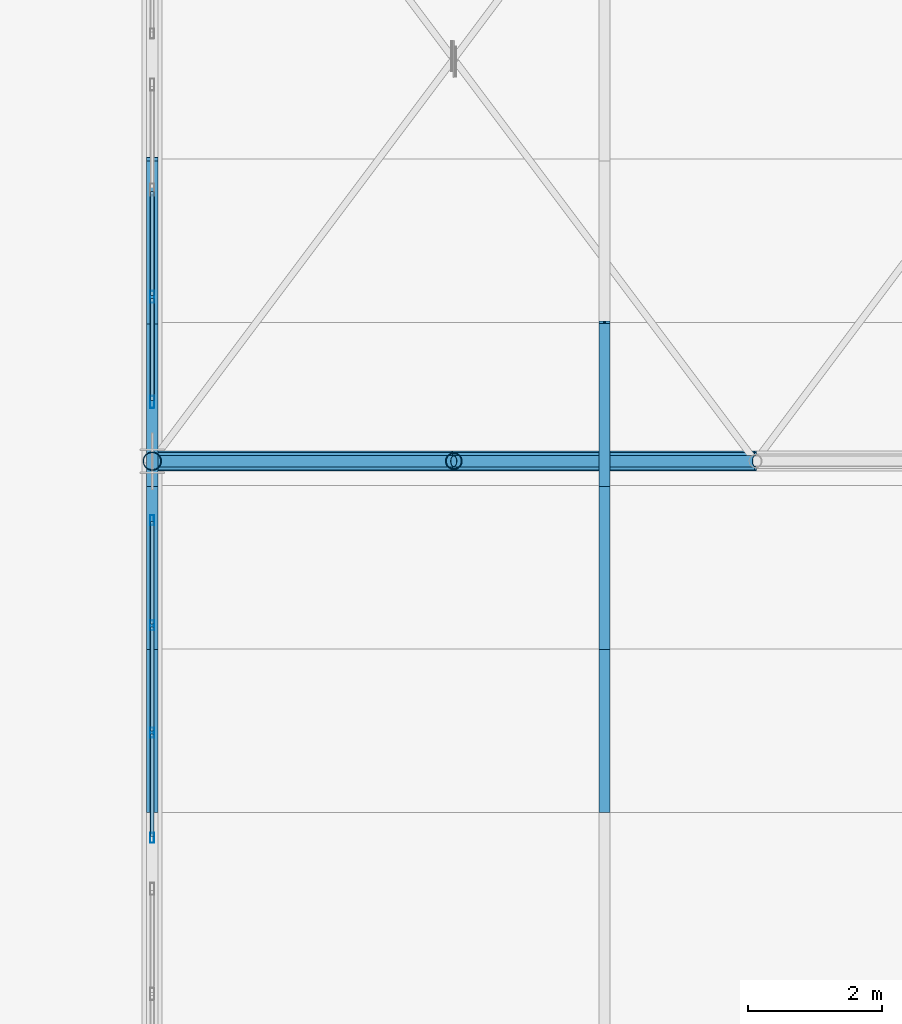
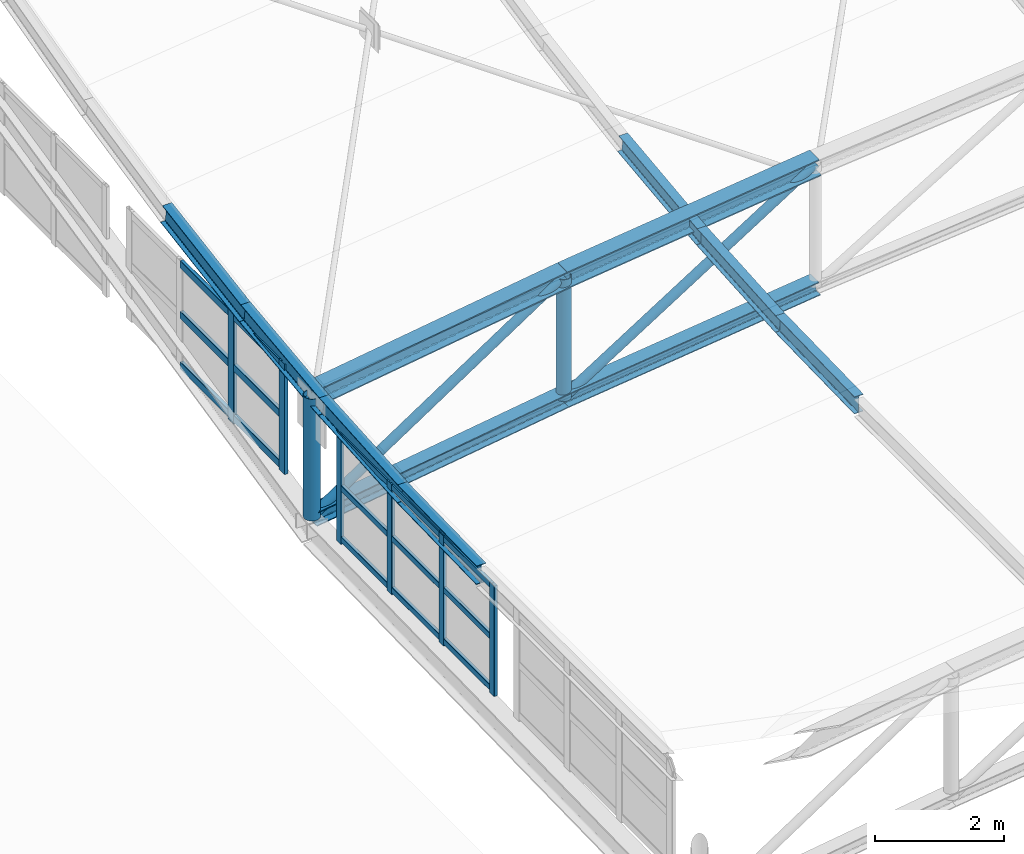
# One storey, part 106 of 262: 36 members, 2 elements without a shape of their own.
"""IFC4 building model written with IfcOpenShell, lengths in metres."""

from ifc_helpers import new_model, si_unit, derived_unit, direction, frame, origin, origin_2d, place, context, subcontext, project, spatial, hollow_rectangle, hollow_circle, i_section, extrude, material, layer, layer_set, material_profile, profile_set, type_object, element, aggregate, save


model = new_model("IFC4")

# Units and contexts
model_context = context("Model", 3, precision=1e-05, world=origin(), true_north=direction((0.0, 1.0)))
body_context = subcontext(model_context, "Body", "Model", "MODEL_VIEW")
ifc_project = project(units=[si_unit("LENGTHUNIT", "METRE"), si_unit("AREAUNIT", "SQUARE_METRE"), si_unit("VOLUMEUNIT", "CUBIC_METRE"), si_unit("PLANEANGLEUNIT", "RADIAN"), si_unit("MASSUNIT", "GRAM", prefix="KILO"), derived_unit("THERMALTRANSMITTANCEUNIT", [(si_unit("POWERUNIT", "WATT"), 1), (si_unit("LENGTHUNIT", "METRE"), -2), (si_unit("THERMODYNAMICTEMPERATUREUNIT", "KELVIN"), -1)])], contexts=[model_context])

# Site, building, storey
site_placement = place(None, origin())
site = spatial("IfcSite", under=ifc_project, at=site_placement, CompositionType="ELEMENT")
building_placement = place(site_placement, origin())
building = spatial("IfcBuilding", under=site, at=building_placement, Name="Almenara Railside Exhibition Hall", CompositionType="ELEMENT")
storey_placement = place(building_placement, frame((0.0, 0.0, 21.699951171875)))
storey = spatial("IfcBuildingStorey", under=building, at=storey_placement, Name="RF", CompositionType="ELEMENT", Elevation=21.699951171875)

# Members
ifc_material_1 = material(Name="Structural steel S355JR", Category="steel")
ifc_material_profile_1 = material_profile(ifc_material_1, i_section(OverallWidth=0.260009765625, OverallDepth=0.260009765625, WebThickness=0.010009765625, FlangeThickness=0.017578125, FilletRadius=0.02392578125, at=origin_2d()), Name="HEB 260")
ifc_profile_set_1 = profile_set([ifc_material_profile_1], Name="Structural steel S355JR")
member_type_1 = type_object("IfcMemberType", Name="Arched Truss Bottom Chord HEB 260 S355JR", PredefinedType="CHORD", material=ifc_profile_set_1)
member_1_placement = place(storey_placement, frame((12.0, 108.0, -2.13525390625), z_axis=(0.989021203369, 0.0, 0.147773675894), x_axis=(0.0, 1.0, 0.0)))
element("IfcMember", 1, at=member_1_placement, inside=storey, type_object=member_type_1, Name="MEM-BC-V1-05-00", PredefinedType="CHORD", context=body_context, shape_type="SweptSolid", body=[
    extrude(i_section(OverallWidth=0.260009765625, OverallDepth=0.260009765625, WebThickness=0.010009765625, FlangeThickness=0.017578125, FilletRadius=0.02392578125, at=origin_2d()), origin(), (0.0, 0.0, 1.0), 4.550048828125),
])
member_2_placement = place(storey_placement, frame((16.5, 108.0, -1.462890625), z_axis=(0.992618705116, 0.0, 0.12127698155), x_axis=(0.0, 1.0, 0.0)))
element("IfcMember", 2, at=member_2_placement, inside=storey, type_object=member_type_1, Name="MEM-BC-V1-05-01", PredefinedType="CHORD", context=body_context, shape_type="SweptSolid", body=[
    extrude(i_section(OverallWidth=0.260009765625, OverallDepth=0.260009765625, WebThickness=0.010009765625, FlangeThickness=0.017578125, FilletRadius=0.02392578125, at=origin_2d()), origin(), (0.0, 0.0, 1.0), 4.533447265625),
])
ifc_material_profile_2 = material_profile(ifc_material_1, i_section(OverallWidth=0.300048828125, OverallDepth=0.320068359375, WebThickness=0.011474609375, FlangeThickness=0.0205078125, FilletRadius=0.027099609375, at=origin_2d()), Name="HEB 320")
ifc_profile_set_2 = profile_set([ifc_material_profile_2], Name="Structural steel S355JR")
member_type_2 = type_object("IfcMemberType", Name="Arched Truss Top Chord HEB 320 S355JR", PredefinedType="CHORD", material=ifc_profile_set_2)
member_3_placement = place(storey_placement, frame((12.0, 108.0, 0.164794921875), z_axis=(0.9890290442, 0.0, 0.147721189165), x_axis=(0.0, 1.0, 0.0)))
element("IfcMember", 3, at=member_3_placement, inside=storey, type_object=member_type_2, Name="MEM-TC-V1-05-00", PredefinedType="CHORD", context=body_context, shape_type="SweptSolid", body=[
    extrude(i_section(OverallWidth=0.300048828125, OverallDepth=0.320068359375, WebThickness=0.011474609375, FlangeThickness=0.0205078125, FilletRadius=0.027099609375, at=origin_2d()), origin(), (0.0, 0.0, 1.0), 4.5498046875),
])
member_4_placement = place(storey_placement, frame((16.5, 108.0, 0.8369140625), z_axis=(0.992612220818, 0.0, 0.121330041965), x_axis=(0.0, 1.0, 0.0)))
element("IfcMember", 4, at=member_4_placement, inside=storey, type_object=member_type_2, Name="MEM-TC-V1-05-01", PredefinedType="CHORD", context=body_context, shape_type="SweptSolid", body=[
    extrude(i_section(OverallWidth=0.300048828125, OverallDepth=0.320068359375, WebThickness=0.011474609375, FlangeThickness=0.0205078125, FilletRadius=0.027099609375, at=origin_2d()), origin(), (0.0, 0.0, 1.0), 4.533447265625),
])

# Curtain wall, members
ifc_material_2 = material(Name="Bronze-anodised aluminium and low-E double glazing", Category="aluminium")
ifc_layer = layer(ifc_material_2, 0.179931640625, Name="Bronze-anodised aluminium and low-E double glazing")
ifc_layer_set = layer_set([ifc_layer], Name="Bronze-anodised aluminium and low-E double glazing")
curtain_wall_type = type_object("IfcCurtainWallType", Name="West Hall Clerestory Curtain Wall 4200x2400", PredefinedType="NOTDEFINED", material=ifc_layer_set)
curtain_wall_1_placement = place(storey_placement, origin())
curtain_wall_1 = element("IfcCurtainWall", 5, at=curtain_wall_1_placement, inside=storey, type_object=curtain_wall_type, Name="Curtain wall CW-CL1-185", PredefinedType="NOTDEFINED")
ifc_material_3 = material(Name="Bronze-anodised aluminium", Category="aluminium")
ifc_material_profile_3 = material_profile(ifc_material_3, hollow_rectangle(XDim=0.06005859375, YDim=0.14990234375, WallThickness=0.00341796875, InnerFilletRadius=0.00341796875, OuterFilletRadius=0.007080078125, at=origin_2d()), Name="ALU-MUL 60x150x3.5")
ifc_profile_set_3 = profile_set([ifc_material_profile_3], Name="Bronze-anodised aluminium")
member_type_3 = type_object("IfcMemberType", Name="Curtain Wall Mullion 60x150x3.5", PredefinedType="MULLION", material=ifc_profile_set_3)
member_5_placement = place(storey_placement, frame((12.0, 102.3798828125, -2.0849609375), z_axis=(0.0, 0.0, 1.0), x_axis=(-1.0, 0.0, 0.0)))
member_5 = element("IfcMember", 6, at=member_5_placement, type_object=member_type_3, Name="CW-CL1-185 mullion 1", PredefinedType="MULLION", context=body_context, shape_type="SweptSolid", body=[
    extrude(hollow_rectangle(XDim=0.06005859375, YDim=0.14990234375, WallThickness=0.00341796875, InnerFilletRadius=0.00341796875, OuterFilletRadius=0.007080078125, at=origin_2d()), origin(), (0.0, 0.0, 1.0), 2.0849609375),
])
member_6_placement = place(storey_placement, frame((12.0, 103.949951171875, -2.0849609375), z_axis=(0.0, 0.0, 1.0), x_axis=(-1.0, 0.0, 0.0)))
member_6 = element("IfcMember", 7, at=member_6_placement, type_object=member_type_3, Name="CW-CL1-185 mullion 2", PredefinedType="MULLION", context=body_context, shape_type="SweptSolid", body=[
    extrude(hollow_rectangle(XDim=0.06005859375, YDim=0.14990234375, WallThickness=0.00341796875, InnerFilletRadius=0.00341796875, OuterFilletRadius=0.007080078125, at=origin_2d()), origin(), (0.0, 0.0, 1.0), 2.0849609375),
])
member_7_placement = place(storey_placement, frame((12.0, 105.550048828125, -2.0849609375), z_axis=(0.0, 0.0, 1.0), x_axis=(-1.0, 0.0, 0.0)))
member_7 = element("IfcMember", 8, at=member_7_placement, type_object=member_type_3, Name="CW-CL1-185 mullion 3", PredefinedType="MULLION", context=body_context, shape_type="SweptSolid", body=[
    extrude(hollow_rectangle(XDim=0.06005859375, YDim=0.14990234375, WallThickness=0.00341796875, InnerFilletRadius=0.00341796875, OuterFilletRadius=0.007080078125, at=origin_2d()), origin(), (0.0, 0.0, 1.0), 2.0849609375),
])
member_8_placement = place(storey_placement, frame((12.0, 107.1201171875, -2.0849609375), z_axis=(0.0, 0.0, 1.0), x_axis=(-1.0, 0.0, 0.0)))
member_8 = element("IfcMember", 9, at=member_8_placement, type_object=member_type_3, Name="CW-CL1-185 mullion 4", PredefinedType="MULLION", context=body_context, shape_type="SweptSolid", body=[
    extrude(hollow_rectangle(XDim=0.06005859375, YDim=0.14990234375, WallThickness=0.00341796875, InnerFilletRadius=0.00341796875, OuterFilletRadius=0.007080078125, at=origin_2d()), origin(), (0.0, 0.0, 1.0), 2.0849609375),
])

curtain_wall_2_placement = place(storey_placement, origin())
curtain_wall_2 = element("IfcCurtainWall", 10, at=curtain_wall_2_placement, inside=storey, type_object=curtain_wall_type, Name="Curtain wall CW-CL1-188", PredefinedType="NOTDEFINED")
ifc_material_profile_4 = material_profile(ifc_material_3, hollow_rectangle(XDim=0.06494140625, YDim=0.179931640625, WallThickness=0.00390625, InnerFilletRadius=0.00390625, OuterFilletRadius=0.008056640625, at=origin_2d()), Name="ALU-MUL 65x180x4")
ifc_profile_set_4 = profile_set([ifc_material_profile_4], Name="Bronze-anodised aluminium")
member_type_4 = type_object("IfcMemberType", Name="Curtain Wall Mullion 65x180x4", PredefinedType="MULLION", material=ifc_profile_set_4)
member_9_placement = place(storey_placement, frame((12.0, 108.882568359375, -1.824951171875), z_axis=(0.0, 0.0, 1.0), x_axis=(-1.0, 0.0, 0.0)))
member_9 = element("IfcMember", 11, at=member_9_placement, type_object=member_type_4, Name="CW-CL1-188 mullion 1", PredefinedType="MULLION", context=body_context, shape_type="SweptSolid", body=[
    extrude(hollow_rectangle(XDim=0.06494140625, YDim=0.179931640625, WallThickness=0.00390625, InnerFilletRadius=0.00390625, OuterFilletRadius=0.008056640625, at=origin_2d()), origin(), (0.0, 0.0, 1.0), 2.0849609375),
])
member_10_placement = place(storey_placement, frame((12.0, 110.449951171875, -1.824951171875), z_axis=(0.0, 0.0, 1.0), x_axis=(-1.0, 0.0, 0.0)))
member_10 = element("IfcMember", 12, at=member_10_placement, type_object=member_type_4, Name="CW-CL1-188 mullion 2", PredefinedType="MULLION", context=body_context, shape_type="SweptSolid", body=[
    extrude(hollow_rectangle(XDim=0.06494140625, YDim=0.179931640625, WallThickness=0.00390625, InnerFilletRadius=0.00390625, OuterFilletRadius=0.008056640625, at=origin_2d()), origin(), (0.0, 0.0, 1.0), 2.0849609375),
])

# Member
ifc_material_profile_5 = material_profile(ifc_material_3, hollow_rectangle(XDim=0.06005859375, YDim=0.110107421875, WallThickness=0.0029296875, InnerFilletRadius=0.0029296875, OuterFilletRadius=0.006103515625, at=origin_2d()), Name="ALU-TRN 60x110x3")
ifc_profile_set_5 = profile_set([ifc_material_profile_5], Name="Bronze-anodised aluminium")
member_type_5 = type_object("IfcMemberType", Name="Curtain Wall Transom 60x110x3", PredefinedType="USERDEFINED", material=ifc_profile_set_5)
member_11_placement = place(storey_placement, frame((12.0, 102.402099609375, -1.994873046875), z_axis=(0.0, 1.0, 0.0), x_axis=(-1.0, 0.0, 0.0)))
member_11 = element("IfcMember", 13, at=member_11_placement, type_object=member_type_5, Name="CW-CL1-185 transom 1.1", ObjectType="TRANSOM", PredefinedType="USERDEFINED", context=body_context, shape_type="SweptSolid", body=[
    extrude(hollow_rectangle(XDim=0.06005859375, YDim=0.110107421875, WallThickness=0.0029296875, InnerFilletRadius=0.0029296875, OuterFilletRadius=0.006103515625, at=origin_2d()), origin(), (0.0, 0.0, 1.0), 1.52587890625),
])

member_12_placement = place(storey_placement, frame((12.0, 102.402099609375, -1.02490234375), z_axis=(0.0, 1.0, 0.0), x_axis=(-1.0, 0.0, 0.0)))
member_12 = element("IfcMember", 14, at=member_12_placement, type_object=member_type_5, Name="CW-CL1-185 transom 1.2", ObjectType="TRANSOM", PredefinedType="USERDEFINED", context=body_context, shape_type="SweptSolid", body=[
    extrude(hollow_rectangle(XDim=0.06005859375, YDim=0.110107421875, WallThickness=0.0029296875, InnerFilletRadius=0.0029296875, OuterFilletRadius=0.006103515625, at=origin_2d()), origin(), (0.0, 0.0, 1.0), 1.52587890625),
])

member_13_placement = place(storey_placement, frame((12.0, 102.402099609375, -0.054931640625), z_axis=(0.0, 1.0, 0.0), x_axis=(-1.0, 0.0, 0.0)))
member_13 = element("IfcMember", 15, at=member_13_placement, type_object=member_type_5, Name="CW-CL1-185 transom 1.3", ObjectType="TRANSOM", PredefinedType="USERDEFINED", context=body_context, shape_type="SweptSolid", body=[
    extrude(hollow_rectangle(XDim=0.06005859375, YDim=0.110107421875, WallThickness=0.0029296875, InnerFilletRadius=0.0029296875, OuterFilletRadius=0.006103515625, at=origin_2d()), origin(), (0.0, 0.0, 1.0), 1.52587890625),
])

member_14_placement = place(storey_placement, frame((12.0, 103.971923828125, -1.994873046875), z_axis=(0.0, 1.0, 0.0), x_axis=(-1.0, 0.0, 0.0)))
member_14 = element("IfcMember", 16, at=member_14_placement, type_object=member_type_5, Name="CW-CL1-185 transom 2.1", ObjectType="TRANSOM", PredefinedType="USERDEFINED", context=body_context, shape_type="SweptSolid", body=[
    extrude(hollow_rectangle(XDim=0.06005859375, YDim=0.110107421875, WallThickness=0.0029296875, InnerFilletRadius=0.0029296875, OuterFilletRadius=0.006103515625, at=origin_2d()), origin(), (0.0, 0.0, 1.0), 1.55615234375),
])

member_15_placement = place(storey_placement, frame((12.0, 103.971923828125, -1.02490234375), z_axis=(0.0, 1.0, 0.0), x_axis=(-1.0, 0.0, 0.0)))
member_15 = element("IfcMember", 17, at=member_15_placement, type_object=member_type_5, Name="CW-CL1-185 transom 2.2", ObjectType="TRANSOM", PredefinedType="USERDEFINED", context=body_context, shape_type="SweptSolid", body=[
    extrude(hollow_rectangle(XDim=0.06005859375, YDim=0.110107421875, WallThickness=0.0029296875, InnerFilletRadius=0.0029296875, OuterFilletRadius=0.006103515625, at=origin_2d()), origin(), (0.0, 0.0, 1.0), 1.55615234375),
])

member_16_placement = place(storey_placement, frame((12.0, 103.971923828125, -0.054931640625), z_axis=(0.0, 1.0, 0.0), x_axis=(-1.0, 0.0, 0.0)))
member_16 = element("IfcMember", 18, at=member_16_placement, type_object=member_type_5, Name="CW-CL1-185 transom 2.3", ObjectType="TRANSOM", PredefinedType="USERDEFINED", context=body_context, shape_type="SweptSolid", body=[
    extrude(hollow_rectangle(XDim=0.06005859375, YDim=0.110107421875, WallThickness=0.0029296875, InnerFilletRadius=0.0029296875, OuterFilletRadius=0.006103515625, at=origin_2d()), origin(), (0.0, 0.0, 1.0), 1.55615234375),
])

member_17_placement = place(storey_placement, frame((12.0, 105.572021484375, -1.994873046875), z_axis=(0.0, 1.0, 0.0), x_axis=(-1.0, 0.0, 0.0)))
member_17 = element("IfcMember", 19, at=member_17_placement, type_object=member_type_5, Name="CW-CL1-185 transom 3.1", ObjectType="TRANSOM", PredefinedType="USERDEFINED", context=body_context, shape_type="SweptSolid", body=[
    extrude(hollow_rectangle(XDim=0.06005859375, YDim=0.110107421875, WallThickness=0.0029296875, InnerFilletRadius=0.0029296875, OuterFilletRadius=0.006103515625, at=origin_2d()), origin(), (0.0, 0.0, 1.0), 1.52587890625),
])

member_18_placement = place(storey_placement, frame((12.0, 105.572021484375, -1.02490234375), z_axis=(0.0, 1.0, 0.0), x_axis=(-1.0, 0.0, 0.0)))
member_18 = element("IfcMember", 20, at=member_18_placement, type_object=member_type_5, Name="CW-CL1-185 transom 3.2", ObjectType="TRANSOM", PredefinedType="USERDEFINED", context=body_context, shape_type="SweptSolid", body=[
    extrude(hollow_rectangle(XDim=0.06005859375, YDim=0.110107421875, WallThickness=0.0029296875, InnerFilletRadius=0.0029296875, OuterFilletRadius=0.006103515625, at=origin_2d()), origin(), (0.0, 0.0, 1.0), 1.52587890625),
])

member_19_placement = place(storey_placement, frame((12.0, 105.572021484375, -0.054931640625), z_axis=(0.0, 1.0, 0.0), x_axis=(-1.0, 0.0, 0.0)))
member_19 = element("IfcMember", 21, at=member_19_placement, type_object=member_type_5, Name="CW-CL1-185 transom 3.3", ObjectType="TRANSOM", PredefinedType="USERDEFINED", context=body_context, shape_type="SweptSolid", body=[
    extrude(hollow_rectangle(XDim=0.06005859375, YDim=0.110107421875, WallThickness=0.0029296875, InnerFilletRadius=0.0029296875, OuterFilletRadius=0.006103515625, at=origin_2d()), origin(), (0.0, 0.0, 1.0), 1.52587890625),
])

aggregate(curtain_wall_1, [member_5, member_6, member_7, member_8, member_11, member_12, member_13, member_14, member_15, member_16, member_17, member_18, member_19])

ifc_material_profile_6 = material_profile(ifc_material_3, hollow_rectangle(XDim=0.06494140625, YDim=0.139892578125, WallThickness=0.00341796875, InnerFilletRadius=0.00341796875, OuterFilletRadius=0.007080078125, at=origin_2d()), Name="ALU-TRN 65x140x3.5")
ifc_profile_set_6 = profile_set([ifc_material_profile_6], Name="Bronze-anodised aluminium")
member_type_6 = type_object("IfcMemberType", Name="Curtain Wall Transom 65x140x3.5", PredefinedType="USERDEFINED", material=ifc_profile_set_6)
member_20_placement = place(storey_placement, frame((12.0, 108.906982421875, -1.719970703125), z_axis=(0.0, 1.0, 0.0), x_axis=(-1.0, 0.0, 0.0)))
member_20 = element("IfcMember", 22, at=member_20_placement, type_object=member_type_6, Name="CW-CL1-188 transom 1.1", ObjectType="TRANSOM", PredefinedType="USERDEFINED", context=body_context, shape_type="SweptSolid", body=[
    extrude(hollow_rectangle(XDim=0.06494140625, YDim=0.139892578125, WallThickness=0.00341796875, InnerFilletRadius=0.00341796875, OuterFilletRadius=0.007080078125, at=origin_2d()), origin(), (0.0, 0.0, 1.0), 1.5185546875),
])

member_21_placement = place(storey_placement, frame((12.0, 108.906982421875, -0.764892578125), z_axis=(0.0, 1.0, 0.0), x_axis=(-1.0, 0.0, 0.0)))
member_21 = element("IfcMember", 23, at=member_21_placement, type_object=member_type_6, Name="CW-CL1-188 transom 1.2", ObjectType="TRANSOM", PredefinedType="USERDEFINED", context=body_context, shape_type="SweptSolid", body=[
    extrude(hollow_rectangle(XDim=0.06494140625, YDim=0.139892578125, WallThickness=0.00341796875, InnerFilletRadius=0.00341796875, OuterFilletRadius=0.007080078125, at=origin_2d()), origin(), (0.0, 0.0, 1.0), 1.5185546875),
])

member_22_placement = place(storey_placement, frame((12.0, 108.906982421875, 0.18994140625), z_axis=(0.0, 1.0, 0.0), x_axis=(-1.0, 0.0, 0.0)))
member_22 = element("IfcMember", 24, at=member_22_placement, type_object=member_type_6, Name="CW-CL1-188 transom 1.3", ObjectType="TRANSOM", PredefinedType="USERDEFINED", context=body_context, shape_type="SweptSolid", body=[
    extrude(hollow_rectangle(XDim=0.06494140625, YDim=0.139892578125, WallThickness=0.00341796875, InnerFilletRadius=0.00341796875, OuterFilletRadius=0.007080078125, at=origin_2d()), origin(), (0.0, 0.0, 1.0), 1.5185546875),
])

member_23_placement = place(storey_placement, frame((12.0, 110.474609375, -1.719970703125), z_axis=(0.0, 1.0, 0.0), x_axis=(-1.0, 0.0, 0.0)))
member_23 = element("IfcMember", 25, at=member_23_placement, type_object=member_type_6, Name="CW-CL1-188 transom 2.1", ObjectType="TRANSOM", PredefinedType="USERDEFINED", context=body_context, shape_type="SweptSolid", body=[
    extrude(hollow_rectangle(XDim=0.06494140625, YDim=0.139892578125, WallThickness=0.00341796875, InnerFilletRadius=0.00341796875, OuterFilletRadius=0.007080078125, at=origin_2d()), origin(), (0.0, 0.0, 1.0), 1.55078125),
])

member_24_placement = place(storey_placement, frame((12.0, 110.474609375, -0.764892578125), z_axis=(0.0, 1.0, 0.0), x_axis=(-1.0, 0.0, 0.0)))
member_24 = element("IfcMember", 26, at=member_24_placement, type_object=member_type_6, Name="CW-CL1-188 transom 2.2", ObjectType="TRANSOM", PredefinedType="USERDEFINED", context=body_context, shape_type="SweptSolid", body=[
    extrude(hollow_rectangle(XDim=0.06494140625, YDim=0.139892578125, WallThickness=0.00341796875, InnerFilletRadius=0.00341796875, OuterFilletRadius=0.007080078125, at=origin_2d()), origin(), (0.0, 0.0, 1.0), 1.55078125),
])

member_25_placement = place(storey_placement, frame((12.0, 110.474609375, 0.18994140625), z_axis=(0.0, 1.0, 0.0), x_axis=(-1.0, 0.0, 0.0)))
member_25 = element("IfcMember", 27, at=member_25_placement, type_object=member_type_6, Name="CW-CL1-188 transom 2.3", ObjectType="TRANSOM", PredefinedType="USERDEFINED", context=body_context, shape_type="SweptSolid", body=[
    extrude(hollow_rectangle(XDim=0.06494140625, YDim=0.139892578125, WallThickness=0.00341796875, InnerFilletRadius=0.00341796875, OuterFilletRadius=0.007080078125, at=origin_2d()), origin(), (0.0, 0.0, 1.0), 1.55078125),
])

aggregate(curtain_wall_2, [member_9, member_10, member_20, member_21, member_22, member_23, member_24, member_25])

# Members
ifc_material_profile_7 = material_profile(ifc_material_1, i_section(OverallWidth=0.159912109375, OverallDepth=0.330078125, WebThickness=0.007568359375, FlangeThickness=0.011474609375, FilletRadius=0.01806640625, at=origin_2d()), Name="IPE 330")
ifc_profile_set_7 = profile_set([ifc_material_profile_7], Name="Structural steel S355JR")
member_type_7 = type_object("IfcMemberType", Name="Gable Bay Purlin IPE 330 S355JR", PredefinedType="PURLIN", material=ifc_profile_set_7)
member_26_placement = place(storey_placement, frame((18.75, 102.759521484375, 0.793701171875), z_axis=(0.0, 0.999725289903, 0.023438104182), x_axis=(-1.0, 0.0, 0.0)))
element("IfcMember", 28, at=member_26_placement, inside=storey, type_object=member_type_7, Name="MEM-PR-V1-PR-IPE330-01-16", PredefinedType="PURLIN", context=body_context, shape_type="SweptSolid", body=[
    extrude(i_section(OverallWidth=0.159912109375, OverallDepth=0.330078125, WebThickness=0.007568359375, FlangeThickness=0.011474609375, FilletRadius=0.01806640625, at=origin_2d()), origin(), (0.0, 0.0, 1.0), 2.4375),
])
member_27_placement = place(storey_placement, frame((18.75, 105.1962890625, 0.85009765625), z_axis=(0.0, 0.997528729247, 0.070259763216), x_axis=(-1.0, 0.0, 0.0)))
element("IfcMember", 29, at=member_27_placement, inside=storey, type_object=member_type_7, Name="MEM-PR-V1-PR-IPE330-01-17", PredefinedType="PURLIN", context=body_context, shape_type="SweptSolid", body=[
    extrude(i_section(OverallWidth=0.159912109375, OverallDepth=0.330078125, WebThickness=0.007568359375, FlangeThickness=0.011474609375, FilletRadius=0.01806640625, at=origin_2d()), origin(), (0.0, 0.0, 1.0), 2.44287109375),
])
member_28_placement = place(storey_placement, frame((18.75, 107.633056640625, 1.02001953125), z_axis=(0.0, 0.993105700961, 0.117222296166), x_axis=(-1.0, 0.0, 0.0)))
element("IfcMember", 30, at=member_28_placement, inside=storey, type_object=member_type_7, Name="MEM-PR-V1-PR-IPE330-01-18", PredefinedType="PURLIN", context=body_context, shape_type="SweptSolid", body=[
    extrude(i_section(OverallWidth=0.159912109375, OverallDepth=0.330078125, WebThickness=0.007568359375, FlangeThickness=0.011474609375, FilletRadius=0.01806640625, at=origin_2d()), origin(), (0.0, 0.0, 1.0), 2.453369140625),
])
ifc_material_profile_8 = material_profile(ifc_material_1, i_section(OverallWidth=0.169921875, OverallDepth=0.360107421875, WebThickness=0.008056640625, FlangeThickness=0.0126953125, FilletRadius=0.01806640625, at=origin_2d()), Name="IPE 360")
ifc_profile_set_8 = profile_set([ifc_material_profile_8], Name="Structural steel S355JR")
member_type_8 = type_object("IfcMemberType", Name="Long-Span Scroll Purlin IPE 360 S355JR", PredefinedType="PURLIN", material=ifc_profile_set_8)
member_29_placement = place(storey_placement, frame((12.0, 102.759521484375, -0.05029296875), z_axis=(0.0, 0.999725289903, 0.023438104182), x_axis=(-1.0, 0.0, 0.0)))
element("IfcMember", 31, at=member_29_placement, inside=storey, type_object=member_type_8, Name="MEM-PR-V1-PR-IPE360-00-16", PredefinedType="PURLIN", context=body_context, shape_type="SweptSolid", body=[
    extrude(i_section(OverallWidth=0.169921875, OverallDepth=0.360107421875, WebThickness=0.008056640625, FlangeThickness=0.0126953125, FilletRadius=0.01806640625, at=origin_2d()), origin(), (0.0, 0.0, 1.0), 2.4375),
])
member_30_placement = place(storey_placement, frame((12.0, 105.1962890625, 0.005859375), z_axis=(0.0, 0.997521719737, 0.070359211571), x_axis=(-1.0, 0.0, 0.0)))
element("IfcMember", 32, at=member_30_placement, inside=storey, type_object=member_type_8, Name="MEM-PR-V1-PR-IPE360-00-17", PredefinedType="PURLIN", context=body_context, shape_type="SweptSolid", body=[
    extrude(i_section(OverallWidth=0.169921875, OverallDepth=0.360107421875, WebThickness=0.008056640625, FlangeThickness=0.0126953125, FilletRadius=0.01806640625, at=origin_2d()), origin(), (0.0, 0.0, 1.0), 2.44287109375),
])
member_31_placement = place(storey_placement, frame((12.0, 107.633056640625, 0.176025390625), z_axis=(0.0, 0.993105700961, 0.117222296166), x_axis=(-1.0, 0.0, 0.0)))
element("IfcMember", 33, at=member_31_placement, inside=storey, type_object=member_type_8, Name="MEM-PR-V1-PR-IPE360-00-18", PredefinedType="PURLIN", context=body_context, shape_type="SweptSolid", body=[
    extrude(i_section(OverallWidth=0.169921875, OverallDepth=0.360107421875, WebThickness=0.008056640625, FlangeThickness=0.0126953125, FilletRadius=0.01806640625, at=origin_2d()), origin(), (0.0, 0.0, 1.0), 2.453369140625),
])
member_32_placement = place(storey_placement, frame((12.0, 110.069580078125, 0.4609375), z_axis=(0.0, 0.986449960692, 0.164062412058), x_axis=(-1.0, 0.0, 0.0)))
element("IfcMember", 34, at=member_32_placement, inside=storey, type_object=member_type_8, Name="MEM-PR-V1-PR-IPE360-00-19", PredefinedType="PURLIN", context=body_context, shape_type="SweptSolid", body=[
    extrude(i_section(OverallWidth=0.169921875, OverallDepth=0.360107421875, WebThickness=0.008056640625, FlangeThickness=0.0126953125, FilletRadius=0.01806640625, at=origin_2d()), origin(), (0.0, 0.0, 1.0), 2.47021484375),
])
ifc_material_profile_9 = material_profile(ifc_material_1, hollow_circle(Radius=0.084228515625, WallThickness=0.006103515625, at=origin_2d()), Name="CHS 168.3x6")
ifc_profile_set_9 = profile_set([ifc_material_profile_9], Name="Structural steel S355JR")
member_type_9 = type_object("IfcMemberType", Name="Truss End Diagonal CHS 168.3x6 S355JR", PredefinedType="BRACE", material=ifc_profile_set_9)
member_33_placement = place(storey_placement, frame((12.0, 108.0, -2.13525390625), z_axis=(0.834424544227, 0.0, 0.551122200598), x_axis=(0.0, 1.0, 0.0)))
element("IfcMember", 35, at=member_33_placement, inside=storey, type_object=member_type_9, Name="MEM-TD-V1-05-00", PredefinedType="BRACE", context=body_context, shape_type="SweptSolid", body=[
    extrude(hollow_circle(Radius=0.084228515625, WallThickness=0.006103515625, at=origin_2d()), origin(), (0.0, 0.0, 1.0), 5.392822265625),
])
member_34_placement = place(storey_placement, frame((16.5, 108.0, -1.462890625), z_axis=(0.8448315064, 0.0, 0.535032453028), x_axis=(0.0, 1.0, 0.0)))
element("IfcMember", 36, at=member_34_placement, inside=storey, type_object=member_type_9, Name="MEM-TD-V1-05-01", PredefinedType="BRACE", context=body_context, shape_type="SweptSolid", body=[
    extrude(hollow_circle(Radius=0.084228515625, WallThickness=0.006103515625, at=origin_2d()), origin(), (0.0, 0.0, 1.0), 5.326416015625),
])
ifc_material_profile_10 = material_profile(ifc_material_1, hollow_circle(Radius=0.122314453125, WallThickness=0.008056640625, at=origin_2d()), Name="CHS 244.5x8")
ifc_profile_set_10 = profile_set([ifc_material_profile_10], Name="Structural steel S355JR")
member_type_10 = type_object("IfcMemberType", Name="Truss Haunch Vertical Strut CHS 244.5x8 S355JR", PredefinedType="BRACE", material=ifc_profile_set_10)
member_35_placement = place(storey_placement, frame((16.5, 108.0, -1.462890625), z_axis=(0.0, 0.0, 1.0), x_axis=(1.0, 0.0, 0.0)))
element("IfcMember", 37, at=member_35_placement, inside=storey, type_object=member_type_10, Name="MEM-TV-V1-05-01", PredefinedType="BRACE", context=body_context, shape_type="SweptSolid", body=[
    extrude(hollow_circle(Radius=0.122314453125, WallThickness=0.008056640625, at=origin_2d()), origin(), (0.0, 0.0, 1.0), 2.2998046875),
])
ifc_material_profile_11 = material_profile(ifc_material_1, hollow_circle(Radius=0.136474609375, WallThickness=0.008056640625, at=origin_2d()), Name="CHS 273x8")
ifc_profile_set_11 = profile_set([ifc_material_profile_11], Name="Structural steel S355JR")
member_type_11 = type_object("IfcMemberType", Name="Truss Support Vertical Strut CHS 273x8 S355JR", PredefinedType="BRACE", material=ifc_profile_set_11)
member_36_placement = place(storey_placement, frame((12.0, 108.0, -2.13525390625), z_axis=(0.0, 0.0, 1.0), x_axis=(1.0, 0.0, 0.0)))
element("IfcMember", 38, at=member_36_placement, inside=storey, type_object=member_type_11, Name="MEM-TV-V1-05-00", PredefinedType="BRACE", context=body_context, shape_type="SweptSolid", body=[
    extrude(hollow_circle(Radius=0.136474609375, WallThickness=0.008056640625, at=origin_2d()), origin(), (0.0, 0.0, 1.0), 2.300048828125),
])

save(model, "model.ifc")
